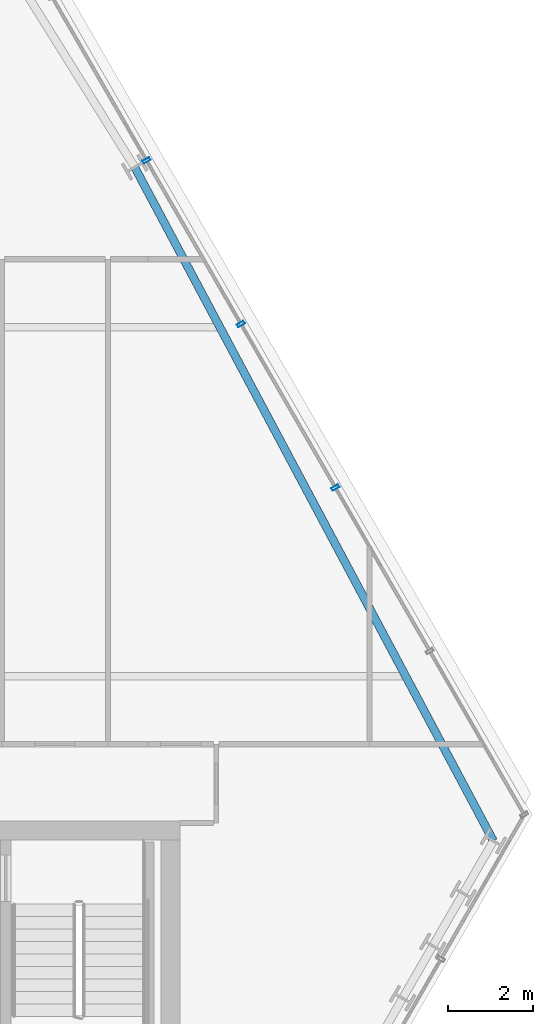
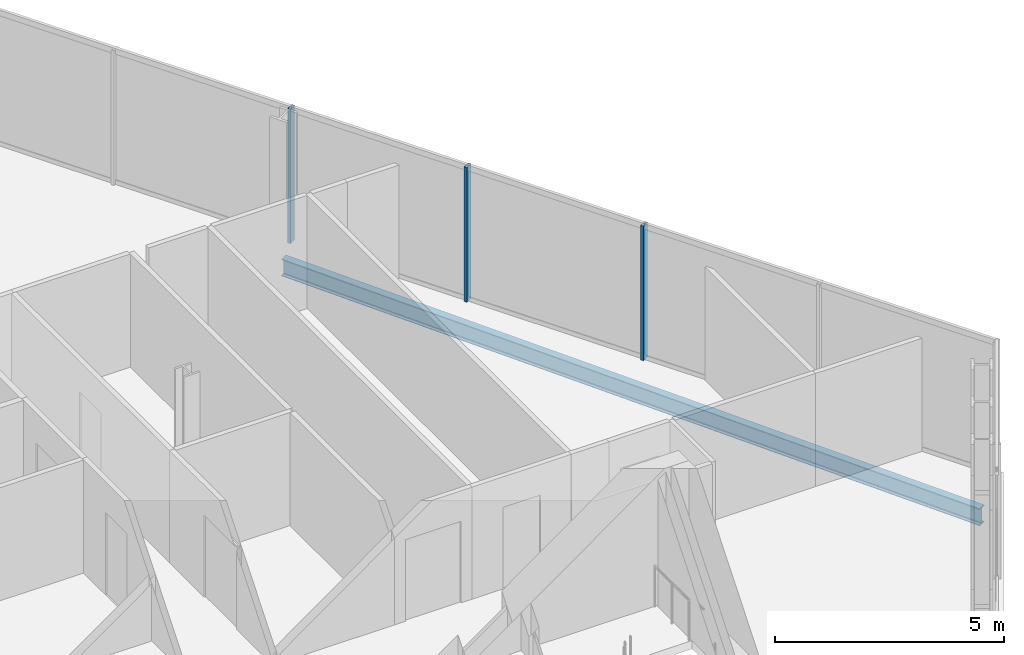
# One storey, part 17 of 31: 3 members, 1 beam, 1 element without a shape of its own.
"""IFC4 building model written with IfcOpenShell, lengths in metres."""

import ifcopenshell
import ifcopenshell.guid

model = None  # the IFC model being written
_history = None  # IfcOwnerHistory: only IFC2X3 demands one
_inside = {}  # id of a spatial element -> (the spatial element, [elements in it])
_under = {}  # id of a project, library or spatial element -> (it, [spatial elements below it])
_declared = {}  # id of a project -> (the project, [libraries it declares])
_typed = {}  # id of a type object -> (the type object, [elements of that type])
_made_of = {}  # id of a material, layer set ... -> (it, [elements and type objects made of it])


def new_model(schema):
    """Start an empty IFC model of exactly this schema.

    Asked for "IFC4X3", IfcOpenShell would pick the latest addendum, in which some entities
    have other attributes; the version numbers below select the first issue.
    IFC2X3 requires an IfcOwnerHistory on every rooted entity: one is made here for all.
    """
    global model, _history
    if schema == "IFC4X3":
        model = ifcopenshell.file(schema_version=(4, 3, 0, 0))
    else:
        model = ifcopenshell.file(schema=schema)
    _inside.clear()
    _under.clear()
    _declared.clear()
    _typed.clear()
    _made_of.clear()
    _history = None
    if model.schema == "IFC2X3":
        org = make("IfcOrganization", Name="unknown")
        user = make(
            "IfcPersonAndOrganization",
            ThePerson=make("IfcPerson", FamilyName="unknown"),
            TheOrganization=org,
        )
        app = make(
            "IfcApplication",
            ApplicationDeveloper=org,
            Version="unknown",
            ApplicationFullName="unknown",
            ApplicationIdentifier="unknown",
        )
        _history = make(
            "IfcOwnerHistory",
            OwningUser=user,
            OwningApplication=app,
            ChangeAction="ADDED",
            CreationDate=0,
        )
    return model


def make(cls, **values):
    """One entity of the class cls with the attributes given. An attribute that is None is left unset."""
    return model.create_entity(
        cls, **{name: value for name, value in values.items() if value is not None}
    )


def rooted(cls, **values):
    """An entity with a GlobalId (a new one), such as an element, a storey or a relation."""
    return make(cls, GlobalId=ifcopenshell.guid.new(), OwnerHistory=_history, **values)


def si_unit(unit_type, name, prefix=None):
    """IfcSIUnit, for example si_unit("LENGTHUNIT", "METRE", prefix="MILLI")."""
    return make("IfcSIUnit", UnitType=unit_type, Prefix=prefix, Name=name)


def assignment(units):
    """IfcUnitAssignment: the units of a project."""
    return None if units is None else make("IfcUnitAssignment", Units=units)


def point(xyz):
    """IfcCartesianPoint."""
    return None if xyz is None else make("IfcCartesianPoint", Coordinates=xyz)


def direction(xyz):
    """IfcDirection."""
    return None if xyz is None else make("IfcDirection", DirectionRatios=xyz)


def frame(location, z_axis=None, x_axis=None):
    """IfcAxis2Placement3D, a coordinate frame: its origin and axes. An axis left out is left unset."""
    return make(
        "IfcAxis2Placement3D",
        Location=point(location),
        Axis=direction(z_axis),
        RefDirection=direction(x_axis),
    )


def frame_2d(location, x_axis=None):
    """IfcAxis2Placement2D, a coordinate frame in the plane: its origin and x axis."""
    return make(
        "IfcAxis2Placement2D", Location=point(location), RefDirection=direction(x_axis)
    )


def origin():
    """The frame at (0, 0, 0) with its axes left unset."""
    return frame((0.0, 0.0, 0.0))


def origin_2d():
    """The frame at (0, 0) in the plane with its x axis left unset."""
    return frame_2d((0.0, 0.0))


def place(relative_to, where):
    """IfcLocalPlacement: puts the frame where relative to a parent placement (None: the world)."""
    return make(
        "IfcLocalPlacement", PlacementRelTo=relative_to, RelativePlacement=where
    )


def context(
    kind, dimensions, precision=None, world=None, true_north=None, identifier=None
):
    """IfcGeometricRepresentationContext, for example the 3D "Model" context."""
    return make(
        "IfcGeometricRepresentationContext",
        ContextIdentifier=identifier,
        ContextType=kind,
        CoordinateSpaceDimension=dimensions,
        Precision=precision,
        WorldCoordinateSystem=world,
        TrueNorth=true_north,
    )


def subcontext(parent, identifier, kind, view, scale=None):
    """IfcGeometricRepresentationSubContext, for example "Body" below "Model"."""
    return make(
        "IfcGeometricRepresentationSubContext",
        ContextIdentifier=identifier,
        ContextType=kind,
        ParentContext=parent,
        TargetScale=scale,
        TargetView=view,
    )


def project(units=None, contexts=None):
    """IfcProject with its units and contexts."""
    return rooted(
        "IfcProject",
        Name="project",
        RepresentationContexts=contexts,
        UnitsInContext=assignment(units),
    )


def spatial(cls, under=None, at=None, **own):
    """A site, building, storey or space (cls), placed at a placement, below another one or the project."""
    s = rooted(cls, ObjectPlacement=at, **own)
    if under is not None:
        _under.setdefault(under.id(), (under, []))[1].append(s)
    return s


def profile(cls, at=None, kind="AREA", **sizes):
    """A parametric profile (cls). Its sizes go by their IFC names, for example OverallWidth=200.0."""
    return make(cls, ProfileType=kind, Position=at, **sizes)


def hollow_rectangle(**sizes):
    """IfcRectangleHollowProfileDef."""
    return profile("IfcRectangleHollowProfileDef", **sizes)


def i_section(**sizes):
    """IfcIShapeProfileDef."""
    return profile("IfcIShapeProfileDef", **sizes)


def extrude(swept, where, along, depth):
    """IfcExtrudedAreaSolid: the profile swept, set in the frame where, extruded along a direction by depth."""
    return make(
        "IfcExtrudedAreaSolid",
        SweptArea=swept,
        Position=where,
        ExtrudedDirection=direction(along),
        Depth=depth,
    )


def shape(context_of_items, identifier, shape_type, items):
    """IfcShapeRepresentation: the items that make up one representation, for example the "Body"."""
    return make(
        "IfcShapeRepresentation",
        ContextOfItems=context_of_items,
        RepresentationIdentifier=identifier,
        RepresentationType=shape_type,
        Items=items,
    )


def material(Name=None, Category=None):
    """IfcMaterial."""
    return make("IfcMaterial", Name=Name, Category=Category)


def layer(
    of_material, thickness, ventilated=None, Name=None, Category=None, Priority=None
):
    """IfcMaterialLayer: one layer of a wall or slab, of a material (None: an air gap)."""
    return make(
        "IfcMaterialLayer",
        Material=of_material,
        LayerThickness=thickness,
        IsVentilated=ventilated,
        Name=Name,
        Category=Category,
        Priority=Priority,
    )


def layer_set(layers, Name=None):
    """IfcMaterialLayerSet."""
    return make("IfcMaterialLayerSet", MaterialLayers=layers, LayerSetName=Name)


def material_profile(
    of_material, cross_section, Name=None, Category=None, Priority=None
):
    """IfcMaterialProfile: a cross section and its material."""
    return make(
        "IfcMaterialProfile",
        Name=Name,
        Material=of_material,
        Profile=cross_section,
        Priority=Priority,
        Category=Category,
    )


def profile_set(profiles, Name=None, composite=None):
    """IfcMaterialProfileSet."""
    return make(
        "IfcMaterialProfileSet",
        Name=Name,
        MaterialProfiles=profiles,
        CompositeProfile=composite,
    )


def made_of(thing, what):
    """Note that an element or type object is made of a material, layer set ...; save() writes the relation."""
    if what is not None:
        _made_of.setdefault(what.id(), (what, []))[1].append(thing)
    return thing


def type_object(cls, material=None, **own):
    """A type object (cls), such as IfcWallType, which elements share."""
    return made_of(rooted(cls, **own), material)


def element(
    cls,
    number,
    at=None,
    inside=None,
    cuts=None,
    type_object=None,
    material=None,
    context=None,
    identifier="Body",
    shape_type=None,
    held_by="IfcProductDefinitionShape",
    body=None,
    shapes=None,
    **own,
):
    """One element of the class cls, such as IfcWall. Its Tag is "e" and its number.

    at: its placement. inside: the storey or other place that contains it. cuts: it is an
    opening in that element (IfcRelVoidsElement). A single representation is given by context,
    identifier, shape_type and body (its items); several are given by shapes. held_by: the class
    of the entity that holds the representations. save() writes the other relations.
    """
    e = rooted(cls, Tag="e%d" % number, ObjectPlacement=at, **own)
    if body is not None:
        shapes = [shape(context, identifier, shape_type, body)]
    if shapes is not None:
        e.Representation = make(held_by, Representations=shapes)
    if inside is not None:
        _inside.setdefault(inside.id(), (inside, []))[1].append(e)
    if cuts is not None:
        rooted(
            "IfcRelVoidsElement", RelatingBuildingElement=cuts, RelatedOpeningElement=e
        )
    if type_object is not None:
        _typed.setdefault(type_object.id(), (type_object, []))[1].append(e)
    return made_of(e, material)


def aggregate(whole, parts):
    """IfcRelAggregates: a whole, such as a stair, and the parts it consists of."""
    return rooted("IfcRelAggregates", RelatingObject=whole, RelatedObjects=parts)


def save(model, path):
    """Write the relations noted so far, then the file.

    IfcRelAggregates (storeys below a building ...), IfcRelContainedInSpatialStructure (elements
    in a storey), IfcRelDefinesByType, IfcRelAssociatesMaterial and IfcRelDeclares: one each for
    every whole, place, type object, material and project.
    """
    for whole, parts in _under.values():
        aggregate(whole, parts)
    for where, things in _inside.values():
        rooted(
            "IfcRelContainedInSpatialStructure",
            RelatedElements=things,
            RelatingStructure=where,
        )
    for kind, things in _typed.values():
        rooted("IfcRelDefinesByType", RelatedObjects=things, RelatingType=kind)
    for what, things in _made_of.values():
        rooted("IfcRelAssociatesMaterial", RelatedObjects=things, RelatingMaterial=what)
    for by, libraries in _declared.values():
        rooted("IfcRelDeclares", RelatingContext=by, RelatedDefinitions=libraries)
    model.write(path)


model = new_model("IFC4")

# Units and contexts
model_context = context("Model", 3, precision=1e-05, world=origin(), true_north=direction((0.0, 1.0)))
body_context = subcontext(model_context, "Body", "Model", "MODEL_VIEW")
ifc_project = project(units=[si_unit("LENGTHUNIT", "METRE"), si_unit("AREAUNIT", "SQUARE_METRE"), si_unit("VOLUMEUNIT", "CUBIC_METRE"), si_unit("PLANEANGLEUNIT", "RADIAN"), si_unit("MASSUNIT", "GRAM", prefix="KILO")], contexts=[model_context])

# Site, building, storey
site_placement = place(None, origin())
site = spatial("IfcSite", under=ifc_project, at=site_placement, CompositionType="ELEMENT")
building_placement = place(site_placement, origin())
building = spatial("IfcBuilding", under=site, at=building_placement, Name="Ndaravel Arena Tower", CompositionType="ELEMENT")
storey_placement = place(building_placement, frame((0.0, 0.0, 138.39990234375)))
storey = spatial("IfcBuildingStorey", under=building, at=storey_placement, Name="L32", CompositionType="ELEMENT", Elevation=138.39990234375)

# Beam
ifc_material_1 = material(Name="Steel S355", Category="steel")
ifc_material_profile_1 = material_profile(ifc_material_1, i_section(OverallWidth=0.18994140625, OverallDepth=0.449951171875, WebThickness=0.009521484375, FlangeThickness=0.0146484375, FilletRadius=0.02099609375, at=origin_2d()), Name="IPE 450")
ifc_profile_set_1 = profile_set([ifc_material_profile_1], Name="Steel S355")
beam_type = type_object("IfcBeamType", Name="BM-SPAN-IPE450", PredefinedType="SPANDREL", material=ifc_profile_set_1)
beam_placement = place(storey_placement, frame((64.9140625, 14.726806640625, -0.44482421875), z_axis=(-0.469938352002, 0.882699238313, 0.0), x_axis=(-0.882699238313, -0.469938352002, 0.0)))
element("IfcBeam", 1, at=beam_placement, inside=storey, type_object=beam_type, Name="L32 Perimeter Spandrel Beam SP-09", PredefinedType="SPANDREL", context=body_context, shape_type="SweptSolid", body=[
    extrude(i_section(OverallWidth=0.18994140625, OverallDepth=0.449951171875, WebThickness=0.009521484375, FlangeThickness=0.0146484375, FilletRadius=0.02099609375, at=origin_2d()), origin(), (0.0, 0.0, 1.0), 17.94189453125),
])

# Curtain wall, members
ifc_material_2 = material(Name="Aluminium", Category="aluminium")
ifc_layer = layer(ifc_material_2, 0.179931640625)
ifc_layer_set = layer_set([ifc_layer], Name="Aluminium")
curtain_wall_type = type_object("IfcCurtainWallType", Name="CW-SYS-03", PredefinedType="NOTDEFINED", material=ifc_layer_set)
curtain_wall_placement = place(storey_placement, origin())
curtain_wall = element("IfcCurtainWall", 2, at=curtain_wall_placement, inside=storey, type_object=curtain_wall_type, Name="L32 Faceted Crystal Curtain Wall CW-L32-E03", PredefinedType="NOTDEFINED")
ifc_material_3 = material(Name="Aluminium", Category="aluminium")
ifc_material_profile_2 = material_profile(ifc_material_3, hollow_rectangle(XDim=0.074951171875, YDim=0.179931640625, WallThickness=0.00390625, at=origin_2d()), Name="CW MULLION 75x180x4")
ifc_profile_set_2 = profile_set([ifc_material_profile_2], Name="Aluminium")
member_type = type_object("IfcMemberType", Name="MEM-CW-MUL180", PredefinedType="MULLION", material=ifc_profile_set_2)
member_1_placement = place(storey_placement, frame((61.199462890625, 23.03369140625, 0.0), z_axis=(0.0, 0.0, 1.0), x_axis=(-0.5, 0.866025403784, 0.0)))
member_1 = element("IfcMember", 3, at=member_1_placement, type_object=member_type, Name="CW-L32-E03 Mullion 02", PredefinedType="MULLION", context=body_context, shape_type="SweptSolid", body=[
    extrude(hollow_rectangle(XDim=0.074951171875, YDim=0.179931640625, WallThickness=0.00390625, at=origin_2d()), origin(), (0.0, 0.0, 1.0), 3.580078125),
])
member_2_placement = place(storey_placement, frame((58.9794921875, 26.87890625, 0.0), z_axis=(0.0, 0.0, 1.0), x_axis=(-0.5, 0.866025403784, 0.0)))
member_2 = element("IfcMember", 4, at=member_2_placement, type_object=member_type, Name="CW-L32-E03 Mullion 03", PredefinedType="MULLION", context=body_context, shape_type="SweptSolid", body=[
    extrude(hollow_rectangle(XDim=0.074951171875, YDim=0.179931640625, WallThickness=0.00390625, at=origin_2d()), origin(), (0.0, 0.0, 1.0), 3.580078125),
])
member_3_placement = place(storey_placement, frame((56.759521484375, 30.72412109375, 0.0), z_axis=(0.0, 0.0, 1.0), x_axis=(-0.5, 0.866025403784, 0.0)))
member_3 = element("IfcMember", 5, at=member_3_placement, type_object=member_type, Name="CW-L32-E03 Mullion 04", PredefinedType="MULLION", context=body_context, shape_type="SweptSolid", body=[
    extrude(hollow_rectangle(XDim=0.074951171875, YDim=0.179931640625, WallThickness=0.00390625, at=origin_2d()), origin(), (0.0, 0.0, 1.0), 3.580078125),
])
aggregate(curtain_wall, [member_1, member_2, member_3])

save(model, "model.ifc")
